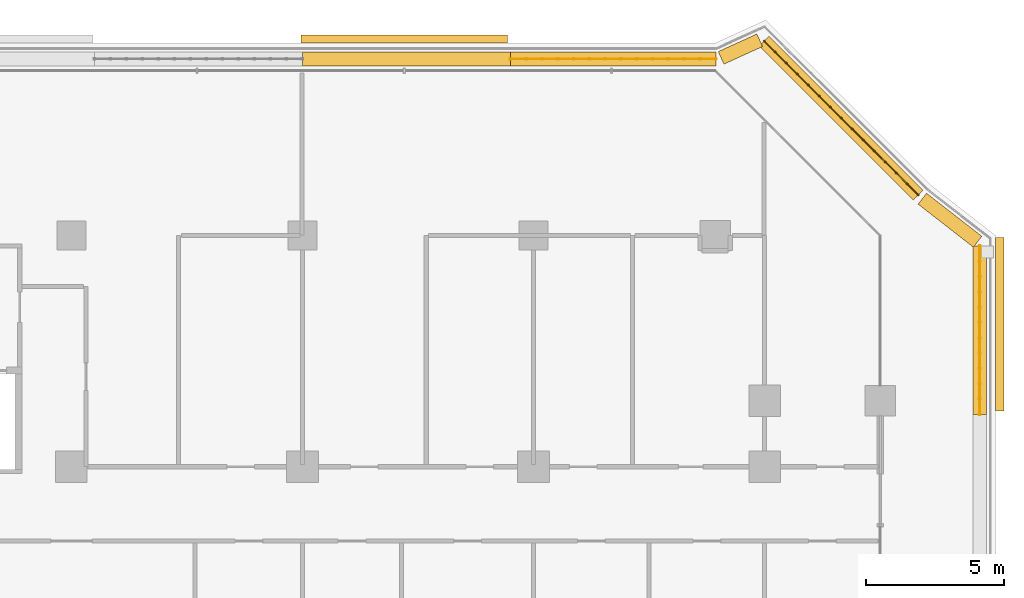
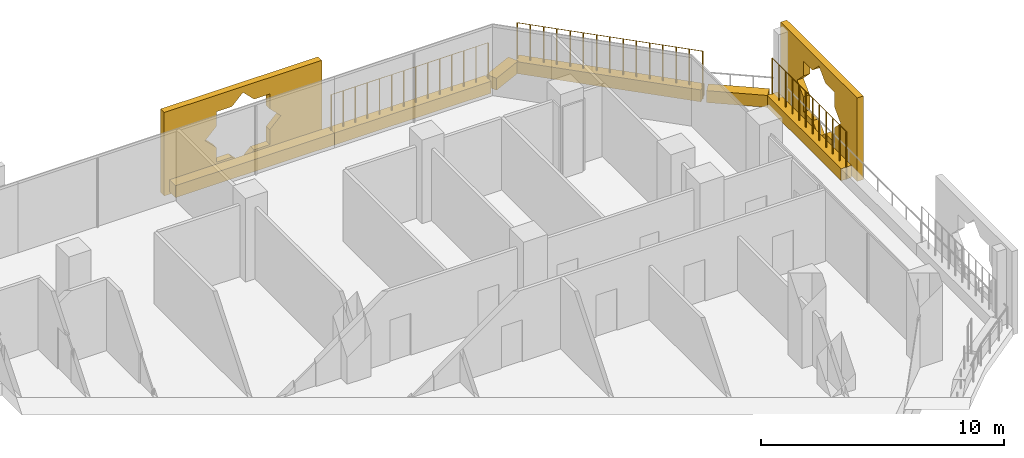
# One storey, part 27 of 27: 8 coverings, 3 railings.
"""IFC4 building model written with IfcOpenShell, lengths in metres."""

from ifc_helpers import new_model, si_unit, direction, frame, origin, origin_2d, place, context, subcontext, project, spatial, polyline, rectangle, circle, outline, extrude, material, material_profile, profile_set, type_object, element, save


model = new_model("IFC4")

# Units and contexts
model_context = context("Model", 3, precision=1e-05, world=origin(), true_north=direction((0.0, 1.0)))
body_context = subcontext(model_context, "Body", "Model", "MODEL_VIEW")
ifc_project = project(units=[si_unit("LENGTHUNIT", "METRE"), si_unit("AREAUNIT", "SQUARE_METRE"), si_unit("VOLUMEUNIT", "CUBIC_METRE"), si_unit("PLANEANGLEUNIT", "RADIAN"), si_unit("MASSUNIT", "GRAM", prefix="KILO")], contexts=[model_context])

# Site, building, storey
site_placement = place(None, origin())
site = spatial("IfcSite", under=ifc_project, at=site_placement, CompositionType="ELEMENT")
building_placement = place(site_placement, origin())
building = spatial("IfcBuilding", under=site, at=building_placement, Name="Kawkab Arch Medical Tower", CompositionType="ELEMENT")
storey_placement = place(building_placement, frame((0.0, 0.0, 103.0)))
storey = spatial("IfcBuildingStorey", under=building, at=storey_placement, Name="L23", CompositionType="ELEMENT", Elevation=103.0)

# Coverings
ifc_material_1 = material(Name="Bronze anodised aluminium mashrabiya panel, eight-point star pattern", Category="aluminium")
ifc_material_profile_1 = material_profile(ifc_material_1, outline(polyline([(-3.14990234375, -2.10009765625), (3.14990234375, -2.10009765625), (3.14990234375, 2.10009765625), (-3.14990234375, 2.10009765625), (-3.14990234375, -2.10009765625)]), holes=[polyline([(1.800048828125, 0.0), (1.272705078125, 0.527099609375), (1.272705078125, 1.272705078125), (0.527099609375, 1.272705078125), (0.0, 1.800048828125), (-0.527099609375, 1.272705078125), (-1.272705078125, 1.272705078125), (-1.272705078125, 0.527099609375), (-1.800048828125, 0.0), (-1.272705078125, -0.527099609375), (-1.272705078125, -1.272705078125), (-0.527099609375, -1.272705078125), (0.0, -1.800048828125), (0.527099609375, -1.272705078125), (1.272705078125, -1.272705078125), (1.272705078125, -0.527099609375), (1.800048828125, 0.0)])]), Name="Mashrabiya panel 6300x4200")
ifc_profile_set_1 = profile_set([ifc_material_profile_1], Name="Bronze anodised aluminium mashrabiya panel, eight-point star pattern")
covering_type_1 = type_object("IfcCoveringType", Name="Mashrabiya panel 6300 x 4200", PredefinedType="USERDEFINED", material=ifc_profile_set_1)
covering_1_placement = place(storey_placement, frame((84.0, -3.223388671875, 1.699951171875), z_axis=(1.0, 0.0, 0.0), x_axis=(0.0, 1.0, 0.0)))
element("IfcCovering", 1, at=covering_1_placement, inside=storey, type_object=covering_type_1, Name="Mashrabiya panel L23.LOG-01-02.10", ObjectType="SCREEN", PredefinedType="USERDEFINED", context=body_context, shape_type="SweptSolid", body=[
    extrude(outline(polyline([(-3.14990234375, -2.10009765625), (3.14990234375, -2.10009765625), (3.14990234375, 2.10009765625), (-3.14990234375, 2.10009765625), (-3.14990234375, -2.10009765625)]), holes=[polyline([(1.800048828125, 0.0), (1.272705078125, 0.527099609375), (1.272705078125, 1.272705078125), (0.527099609375, 1.272705078125), (0.0, 1.800048828125), (-0.527099609375, 1.272705078125), (-1.272705078125, 1.272705078125), (-1.272705078125, 0.527099609375), (-1.800048828125, 0.0), (-1.272705078125, -0.527099609375), (-1.272705078125, -1.272705078125), (-0.527099609375, -1.272705078125), (0.0, -1.800048828125), (0.527099609375, -1.272705078125), (1.272705078125, -1.272705078125), (1.272705078125, -0.527099609375), (1.800048828125, 0.0)])]), origin(), (0.0, 0.0, 1.0), 0.300048828125),
])
ifc_material_2 = material(Name="Bronze anodised aluminium mashrabiya panel, eight-point star pattern", Category="aluminium")
ifc_material_profile_2 = material_profile(ifc_material_2, outline(polyline([(-3.75, -2.10009765625), (3.75, -2.10009765625), (3.75, 2.10009765625), (-3.75, 2.10009765625), (-3.75, -2.10009765625)]), holes=[polyline([(1.800048828125, 0.0), (1.272705078125, 0.527099609375), (1.272705078125, 1.272705078125), (0.527099609375, 1.272705078125), (0.0, 1.800048828125), (-0.527099609375, 1.272705078125), (-1.272705078125, 1.272705078125), (-1.272705078125, 0.527099609375), (-1.800048828125, 0.0), (-1.272705078125, -0.527099609375), (-1.272705078125, -1.272705078125), (-0.527099609375, -1.272705078125), (0.0, -1.800048828125), (0.527099609375, -1.272705078125), (1.272705078125, -1.272705078125), (1.272705078125, -0.527099609375), (1.800048828125, 0.0)])]), Name="Mashrabiya panel 7500x4200")
ifc_profile_set_2 = profile_set([ifc_material_profile_2], Name="Bronze anodised aluminium mashrabiya panel, eight-point star pattern")
covering_type_2 = type_object("IfcCoveringType", Name="Mashrabiya panel 7500 x 4200", PredefinedType="USERDEFINED", material=ifc_profile_set_2)
covering_2_placement = place(storey_placement, frame((62.50146484375, 7.0, 1.699951171875), z_axis=(0.0, 1.0, 0.0), x_axis=(-1.0, 0.0, 0.0)))
element("IfcCovering", 2, at=covering_2_placement, inside=storey, type_object=covering_type_2, Name="Mashrabiya panel L23.LOG-01-02.9", ObjectType="SCREEN", PredefinedType="USERDEFINED", context=body_context, shape_type="SweptSolid", body=[
    extrude(outline(polyline([(-3.75, -2.10009765625), (3.75, -2.10009765625), (3.75, 2.10009765625), (-3.75, 2.10009765625), (-3.75, -2.10009765625)]), holes=[polyline([(1.800048828125, 0.0), (1.272705078125, 0.527099609375), (1.272705078125, 1.272705078125), (0.527099609375, 1.272705078125), (0.0, 1.800048828125), (-0.527099609375, 1.272705078125), (-1.272705078125, 1.272705078125), (-1.272705078125, 0.527099609375), (-1.800048828125, 0.0), (-1.272705078125, -0.527099609375), (-1.272705078125, -1.272705078125), (-0.527099609375, -1.272705078125), (0.0, -1.800048828125), (0.527099609375, -1.272705078125), (1.272705078125, -1.272705078125), (1.272705078125, -0.527099609375), (1.800048828125, 0.0)])]), origin(), (0.0, 0.0, 1.0), 0.300048828125),
])
ifc_material_3 = material(Name="Planting soil in a precast trough", Category="concrete")
ifc_material_profile_3 = material_profile(ifc_material_3, rectangle(XDim=0.5, YDim=0.60009765625, at=origin_2d()), Name="Trough 500x600")
ifc_profile_set_3 = profile_set([ifc_material_profile_3], Name="Planting soil in a precast trough")
covering_type_3 = type_object("IfcCoveringType", Name="Planter trough 500 x 600", PredefinedType="USERDEFINED", material=ifc_profile_set_3)
covering_3_placement = place(storey_placement, frame((58.802978515625, 6.419921875, 0.300048828125), z_axis=(1.0, 0.0, 0.0), x_axis=(0.0, 1.0, 0.0)))
element("IfcCovering", 3, at=covering_3_placement, inside=storey, type_object=covering_type_3, Name="Planter L23.LOG-01-02.24", ObjectType="PLANTER", PredefinedType="USERDEFINED", context=body_context, shape_type="SweptSolid", body=[
    extrude(rectangle(XDim=0.5, YDim=0.60009765625, at=origin_2d()), origin(), (0.0, 0.0, 1.0), 7.56201171875),
])
covering_4_placement = place(storey_placement, frame((66.364990234375, 6.419921875, 0.300048828125), z_axis=(1.0, 0.0, 0.0), x_axis=(0.0, 1.0, 0.0)))
element("IfcCovering", 4, at=covering_4_placement, inside=storey, type_object=covering_type_3, Name="Planter L23.LOG-01-02.25", ObjectType="PLANTER", PredefinedType="USERDEFINED", context=body_context, shape_type="SweptSolid", body=[
    extrude(rectangle(XDim=0.5, YDim=0.60009765625, at=origin_2d()), origin(), (0.0, 0.0, 1.0), 7.4609375),
])
covering_5_placement = place(storey_placement, frame((74.01708984375, 6.4609375, 0.300048828125), z_axis=(0.909628230054, 0.41542325776, 0.0), x_axis=(-0.41542325776, 0.909628230054, 0.0)))
element("IfcCovering", 5, at=covering_5_placement, inside=storey, type_object=covering_type_3, Name="Planter L23.LOG-01-02.26", ObjectType="PLANTER", PredefinedType="USERDEFINED", context=body_context, shape_type="SweptSolid", body=[
    extrude(rectangle(XDim=0.5, YDim=0.60009765625, at=origin_2d()), origin(), (0.0, 0.0, 1.0), 1.543212890625),
])
covering_6_placement = place(storey_placement, frame((75.5830078125, 7.072998046875, 0.300048828125), z_axis=(0.707106781187, -0.707106781187, 0.0), x_axis=(0.707106781187, 0.707106781187, 0.0)))
element("IfcCovering", 6, at=covering_6_placement, inside=storey, type_object=covering_type_3, Name="Planter L23.LOG-01-02.27", ObjectType="PLANTER", PredefinedType="USERDEFINED", context=body_context, shape_type="SweptSolid", body=[
    extrude(rectangle(XDim=0.5, YDim=0.60009765625, at=origin_2d()), origin(), (0.0, 0.0, 1.0), 7.919677734375),
])
covering_7_placement = place(storey_placement, frame((81.33203125, 1.341064453125, 0.300048828125), z_axis=(0.789274742246, -0.61404021143, 0.0), x_axis=(0.61404021143, 0.789274742246, 0.0)))
element("IfcCovering", 7, at=covering_7_placement, inside=storey, type_object=covering_type_3, Name="Planter L23.LOG-01-02.28", ObjectType="PLANTER", PredefinedType="USERDEFINED", context=body_context, shape_type="SweptSolid", body=[
    extrude(rectangle(XDim=0.5, YDim=0.60009765625, at=origin_2d()), origin(), (0.0, 0.0, 1.0), 2.54541015625),
])
covering_8_placement = place(storey_placement, frame((83.419921875, -0.384033203125, 0.300048828125), z_axis=(0.0, -1.0, 0.0), x_axis=(1.0, 0.0, 0.0)))
element("IfcCovering", 8, at=covering_8_placement, inside=storey, type_object=covering_type_3, Name="Planter L23.LOG-01-02.29", ObjectType="PLANTER", PredefinedType="USERDEFINED", context=body_context, shape_type="SweptSolid", body=[
    extrude(rectangle(XDim=0.5, YDim=0.60009765625, at=origin_2d()), origin(), (0.0, 0.0, 1.0), 6.111083984375),
])

# Railings
ifc_material_4 = material(Name="Bronze anodised aluminium trellis for climbing plants", Category="aluminium")
railing_type = type_object("IfcRailingType", Name="Planting trellis 2400", PredefinedType="USERDEFINED", material=ifc_material_4)
railing_1_placement = place(storey_placement, frame((66.364990234375, 6.419921875, 0.0)))
element("IfcRailing", 9, at=railing_1_placement, inside=storey, type_object=railing_type, Name="Planting trellis L23.LOG-01-02.25", ObjectType="TRELLIS", PredefinedType="USERDEFINED", context=body_context, shape_type="SweptSolid", body=[
    extrude(circle(Radius=0.01513671875, at=origin_2d()), frame((0.0, 0.0, 2.384765625), z_axis=(1.0, 0.0, 0.0), x_axis=(0.0, 1.0, 0.0)), (0.0, 0.0, 1.0), 7.4609375),
    extrude(circle(Radius=0.030029296875, at=origin_2d()), origin(), (0.0, 0.0, 1.0), 2.369873046875),
    extrude(circle(Radius=0.030029296875, at=origin_2d()), frame((0.573974609375, 0.0, 0.0)), (0.0, 0.0, 1.0), 2.369873046875),
    extrude(circle(Radius=0.030029296875, at=origin_2d()), frame((1.14794921875, 0.0, 0.0)), (0.0, 0.0, 1.0), 2.369873046875),
    extrude(circle(Radius=0.030029296875, at=origin_2d()), frame((1.7216796875, 0.0, 0.0)), (0.0, 0.0, 1.0), 2.369873046875),
    extrude(circle(Radius=0.030029296875, at=origin_2d()), frame((2.295654296875, 0.0, 0.0)), (0.0, 0.0, 1.0), 2.369873046875),
    extrude(circle(Radius=0.030029296875, at=origin_2d()), frame((2.86962890625, 0.0, 0.0)), (0.0, 0.0, 1.0), 2.369873046875),
    extrude(circle(Radius=0.030029296875, at=origin_2d()), frame((3.443603515625, 0.0, 0.0)), (0.0, 0.0, 1.0), 2.369873046875),
    extrude(circle(Radius=0.030029296875, at=origin_2d()), frame((4.017333984375, 0.0, 0.0)), (0.0, 0.0, 1.0), 2.369873046875),
    extrude(circle(Radius=0.030029296875, at=origin_2d()), frame((4.59130859375, 0.0, 0.0)), (0.0, 0.0, 1.0), 2.369873046875),
    extrude(circle(Radius=0.030029296875, at=origin_2d()), frame((5.165283203125, 0.0, 0.0)), (0.0, 0.0, 1.0), 2.369873046875),
    extrude(circle(Radius=0.030029296875, at=origin_2d()), frame((5.7392578125, 0.0, 0.0)), (0.0, 0.0, 1.0), 2.369873046875),
    extrude(circle(Radius=0.030029296875, at=origin_2d()), frame((6.31298828125, 0.0, 0.0)), (0.0, 0.0, 1.0), 2.369873046875),
    extrude(circle(Radius=0.030029296875, at=origin_2d()), frame((6.886962890625, 0.0, 0.0)), (0.0, 0.0, 1.0), 2.369873046875),
    extrude(circle(Radius=0.030029296875, at=origin_2d()), frame((7.4609375, 0.0, 0.0)), (0.0, 0.0, 1.0), 2.369873046875),
])
railing_2_placement = place(storey_placement, frame((75.5830078125, 7.072998046875, 0.0)))
element("IfcRailing", 10, at=railing_2_placement, inside=storey, type_object=railing_type, Name="Planting trellis L23.LOG-01-02.27", ObjectType="TRELLIS", PredefinedType="USERDEFINED", context=body_context, shape_type="SweptSolid", body=[
    extrude(circle(Radius=0.01513671875, at=origin_2d()), frame((0.0, 0.0, 2.384765625), z_axis=(0.707106781187, -0.707106781187, 0.0), x_axis=(0.707106781187, 0.707106781187, 0.0)), (0.0, 0.0, 1.0), 7.919677734375),
    extrude(circle(Radius=0.030029296875, at=origin_2d()), origin(), (0.0, 0.0, 1.0), 2.369873046875),
    extrude(circle(Radius=0.030029296875, at=origin_2d()), frame((0.39990234375, -0.39990234375, 0.0)), (0.0, 0.0, 1.0), 2.369873046875),
    extrude(circle(Radius=0.030029296875, at=origin_2d()), frame((0.800048828125, -0.800048828125, 0.0)), (0.0, 0.0, 1.0), 2.369873046875),
    extrude(circle(Radius=0.030029296875, at=origin_2d()), frame((1.199951171875, -1.199951171875, 0.0)), (0.0, 0.0, 1.0), 2.369873046875),
    extrude(circle(Radius=0.030029296875, at=origin_2d()), frame((1.60009765625, -1.60009765625, 0.0)), (0.0, 0.0, 1.0), 2.369873046875),
    extrude(circle(Radius=0.030029296875, at=origin_2d()), frame((2.0, -2.0, 0.0)), (0.0, 0.0, 1.0), 2.369873046875),
    extrude(circle(Radius=0.030029296875, at=origin_2d()), frame((2.400146484375, -2.400146484375, 0.0)), (0.0, 0.0, 1.0), 2.369873046875),
    extrude(circle(Radius=0.030029296875, at=origin_2d()), frame((2.800048828125, -2.800048828125, 0.0)), (0.0, 0.0, 1.0), 2.369873046875),
    extrude(circle(Radius=0.030029296875, at=origin_2d()), frame((3.199951171875, -3.199951171875, 0.0)), (0.0, 0.0, 1.0), 2.369873046875),
    extrude(circle(Radius=0.030029296875, at=origin_2d()), frame((3.60009765625, -3.60009765625, 0.0)), (0.0, 0.0, 1.0), 2.369873046875),
    extrude(circle(Radius=0.030029296875, at=origin_2d()), frame((4.0, -4.0, 0.0)), (0.0, 0.0, 1.0), 2.369873046875),
    extrude(circle(Radius=0.030029296875, at=origin_2d()), frame((4.400146484375, -4.400146484375, 0.0)), (0.0, 0.0, 1.0), 2.369873046875),
    extrude(circle(Radius=0.030029296875, at=origin_2d()), frame((4.800048828125, -4.800048828125, 0.0)), (0.0, 0.0, 1.0), 2.369873046875),
    extrude(circle(Radius=0.030029296875, at=origin_2d()), frame((5.2001953125, -5.2001953125, 0.0)), (0.0, 0.0, 1.0), 2.369873046875),
    extrude(circle(Radius=0.030029296875, at=origin_2d()), frame((5.60009765625, -5.60009765625, 0.0)), (0.0, 0.0, 1.0), 2.369873046875),
])
railing_3_placement = place(storey_placement, frame((83.419921875, -0.384033203125, 0.0)))
element("IfcRailing", 11, at=railing_3_placement, inside=storey, type_object=railing_type, Name="Planting trellis L23.LOG-01-02.29", ObjectType="TRELLIS", PredefinedType="USERDEFINED", context=body_context, shape_type="SweptSolid", body=[
    extrude(circle(Radius=0.01513671875, at=origin_2d()), frame((0.0, 0.0, 2.384765625), z_axis=(0.0, -1.0, 0.0), x_axis=(1.0, 0.0, 0.0)), (0.0, 0.0, 1.0), 6.111083984375),
    extrude(circle(Radius=0.030029296875, at=origin_2d()), origin(), (0.0, 0.0, 1.0), 2.369873046875),
    extrude(circle(Radius=0.030029296875, at=origin_2d()), frame((0.0, -0.5556640625, 0.0)), (0.0, 0.0, 1.0), 2.369873046875),
    extrude(circle(Radius=0.030029296875, at=origin_2d()), frame((0.0, -1.111083984375, 0.0)), (0.0, 0.0, 1.0), 2.369873046875),
    extrude(circle(Radius=0.030029296875, at=origin_2d()), frame((0.0, -1.666748046875, 0.0)), (0.0, 0.0, 1.0), 2.369873046875),
    extrude(circle(Radius=0.030029296875, at=origin_2d()), frame((0.0, -2.22216796875, 0.0)), (0.0, 0.0, 1.0), 2.369873046875),
    extrude(circle(Radius=0.030029296875, at=origin_2d()), frame((0.0, -2.77783203125, 0.0)), (0.0, 0.0, 1.0), 2.369873046875),
    extrude(circle(Radius=0.030029296875, at=origin_2d()), frame((0.0, -3.333251953125, 0.0)), (0.0, 0.0, 1.0), 2.369873046875),
    extrude(circle(Radius=0.030029296875, at=origin_2d()), frame((0.0, -3.888916015625, 0.0)), (0.0, 0.0, 1.0), 2.369873046875),
    extrude(circle(Radius=0.030029296875, at=origin_2d()), frame((0.0, -4.4443359375, 0.0)), (0.0, 0.0, 1.0), 2.369873046875),
    extrude(circle(Radius=0.030029296875, at=origin_2d()), frame((0.0, -5.0, 0.0)), (0.0, 0.0, 1.0), 2.369873046875),
    extrude(circle(Radius=0.030029296875, at=origin_2d()), frame((0.0, -5.555419921875, 0.0)), (0.0, 0.0, 1.0), 2.369873046875),
    extrude(circle(Radius=0.030029296875, at=origin_2d()), frame((0.0, -6.111083984375, 0.0)), (0.0, 0.0, 1.0), 2.369873046875),
])

save(model, "model.ifc")
